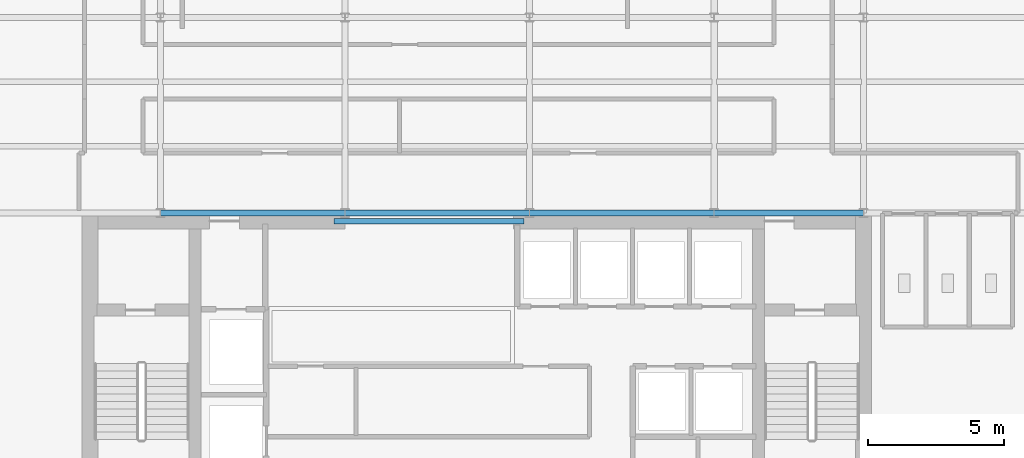
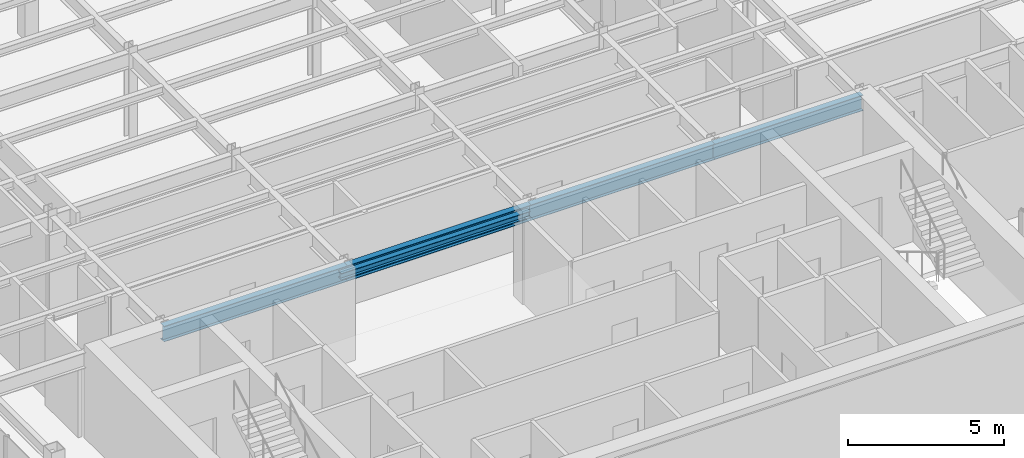
# One storey, part 4 of 22: 5 beams.
"""IFC4 building model written with IfcOpenShell, lengths in metres."""

from ifc_helpers import new_model, si_unit, derived_unit, direction, frame, origin, origin_2d, place, context, subcontext, project, spatial, i_section, extrude, source, transform, mapped, material, material_profile, profile_set, type_object, element, save


model = new_model("IFC4")

# Units and contexts
model_context = context("Model", 3, precision=1e-05, world=origin(), true_north=direction((0.0, 1.0)))
body_context = subcontext(model_context, "Body", "Model", "MODEL_VIEW")
ifc_project = project(units=[si_unit("LENGTHUNIT", "METRE"), si_unit("AREAUNIT", "SQUARE_METRE"), si_unit("VOLUMEUNIT", "CUBIC_METRE"), si_unit("PLANEANGLEUNIT", "RADIAN"), si_unit("MASSUNIT", "GRAM", prefix="KILO"), derived_unit("THERMALTRANSMITTANCEUNIT", [(si_unit("POWERUNIT", "WATT"), 1), (si_unit("LENGTHUNIT", "METRE"), -2), (si_unit("THERMODYNAMICTEMPERATUREUNIT", "KELVIN"), -1)])], contexts=[model_context])

# Site, building, storey
site_placement = place(None, origin())
site = spatial("IfcSite", under=ifc_project, at=site_placement, CompositionType="ELEMENT")
building_placement = place(site_placement, origin())
building = spatial("IfcBuilding", under=site, at=building_placement, Name="Skarnbrae Concourse Arena and Tower", CompositionType="ELEMENT")
storey_placement = place(building_placement, frame((0.0, 0.0, 240.550048828125)))
storey = spatial("IfcBuildingStorey", under=building, at=storey_placement, Name="L62", CompositionType="ELEMENT", Elevation=240.550048828125)

# Beams
ifc_material = material(Name="Steel CSA G40.21 350W", Category="steel")
ifc_material_profile_1 = material_profile(ifc_material, i_section(OverallWidth=0.202880859375, OverallDepth=0.251953125, WebThickness=0.008056640625, FlangeThickness=0.013427734375, at=origin_2d()), Name="W250X58")
ifc_profile_set_1 = profile_set([ifc_material_profile_1], Name="Steel CSA G40.21 350W")
beam_type_1 = type_object("IfcBeamType", Name="BM-LINTEL-W250X58", PredefinedType="LINTEL", material=ifc_profile_set_1)
shared_shape_1 = source(origin(), body_context, "Body", "SweptSolid", [
    extrude(i_section(OverallWidth=0.202880859375, OverallDepth=0.251953125, WebThickness=0.008056640625, FlangeThickness=0.013427734375, at=origin_2d()), origin(), (0.0, 0.0, 1.0), 7.0),
])
beam_1_placement = place(storey_placement, frame((14.0, 13.699951171875, 3.27392578125), z_axis=(1.0, 0.0, 0.0), x_axis=(0.0, 1.0, 0.0)))
element("IfcBeam", 1, at=beam_1_placement, inside=storey, type_object=beam_type_1, Name="L62 Core portal coupling lintel", PredefinedType="LINTEL", context=body_context, shape_type="MappedRepresentation", body=[
    mapped(shared_shape_1, transform((0.0, 0.0, 0.0))),
])
ifc_material_profile_2 = material_profile(ifc_material, i_section(OverallWidth=0.22802734375, OverallDepth=0.60791015625, WebThickness=0.01123046875, FlangeThickness=0.017333984375, at=origin_2d()), Name="W610X113")
ifc_profile_set_2 = profile_set([ifc_material_profile_2], Name="Steel CSA G40.21 350W")
beam_type_2 = type_object("IfcBeamType", Name="BM-GIRD-W610X113", PredefinedType="BEAM", material=ifc_profile_set_2)
shared_shape_2 = source(origin(), body_context, "Body", "SweptSolid", [
    extrude(i_section(OverallWidth=0.22802734375, OverallDepth=0.60791015625, WebThickness=0.01123046875, FlangeThickness=0.017333984375, at=origin_2d()), origin(), (0.0, 0.0, 1.0), 6.7998046875),
])
beam_2_placement = place(storey_placement, frame((7.60009765625, 14.0, 3.095947265625), z_axis=(1.0, 0.0, 0.0), x_axis=(0.0, 1.0, 0.0)))
element("IfcBeam", 2, at=beam_2_placement, inside=storey, type_object=beam_type_2, Name="L62 Primary E-W girder Y14.0-2", PredefinedType="BEAM", context=body_context, shape_type="MappedRepresentation", body=[
    mapped(shared_shape_2, transform((0.0, 0.0, 0.0))),
])
shared_shape_3 = source(origin(), body_context, "Body", "SweptSolid", [
    extrude(i_section(OverallWidth=0.22802734375, OverallDepth=0.60791015625, WebThickness=0.01123046875, FlangeThickness=0.017333984375, at=origin_2d()), origin(), (0.0, 0.0, 1.0), 6.800048828125),
])
for number, where, z_axis, x_axis, name in (
    (3, (14.39990234375, 14.0, 3.095947265625), (1.0, 0.0, 0.0), (0.0, 1.0, 0.0), "L62 Primary E-W girder Y14.0-3"),
    (4, (21.199951171875, 14.0, 3.095947265625), (1.0, 0.0, 0.0), (0.0, 1.0, 0.0), "L62 Primary E-W girder Y14.0-4"),
):
    element("IfcBeam", number, at=place(storey_placement, frame(where, z_axis=z_axis, x_axis=x_axis)), inside=storey, type_object=beam_type_2, Name=name, PredefinedType="BEAM", context=body_context, shape_type="MappedRepresentation", body=[
        mapped(shared_shape_3, transform((0.0, 0.0, 0.0))),
    ])
shared_shape_4 = source(origin(), body_context, "Body", "SweptSolid", [
    extrude(i_section(OverallWidth=0.22802734375, OverallDepth=0.60791015625, WebThickness=0.01123046875, FlangeThickness=0.017333984375, at=origin_2d()), origin(), (0.0, 0.0, 1.0), 5.5),
])
beam_3_placement = place(storey_placement, frame((28.0, 14.0, 3.095947265625), z_axis=(1.0, 0.0, 0.0), x_axis=(0.0, 1.0, 0.0)))
element("IfcBeam", 5, at=beam_3_placement, inside=storey, type_object=beam_type_2, Name="L62 Primary E-W girder Y14.0-5", PredefinedType="BEAM", context=body_context, shape_type="MappedRepresentation", body=[
    mapped(shared_shape_4, transform((0.0, 0.0, 0.0))),
])

save(model, "model.ifc")
